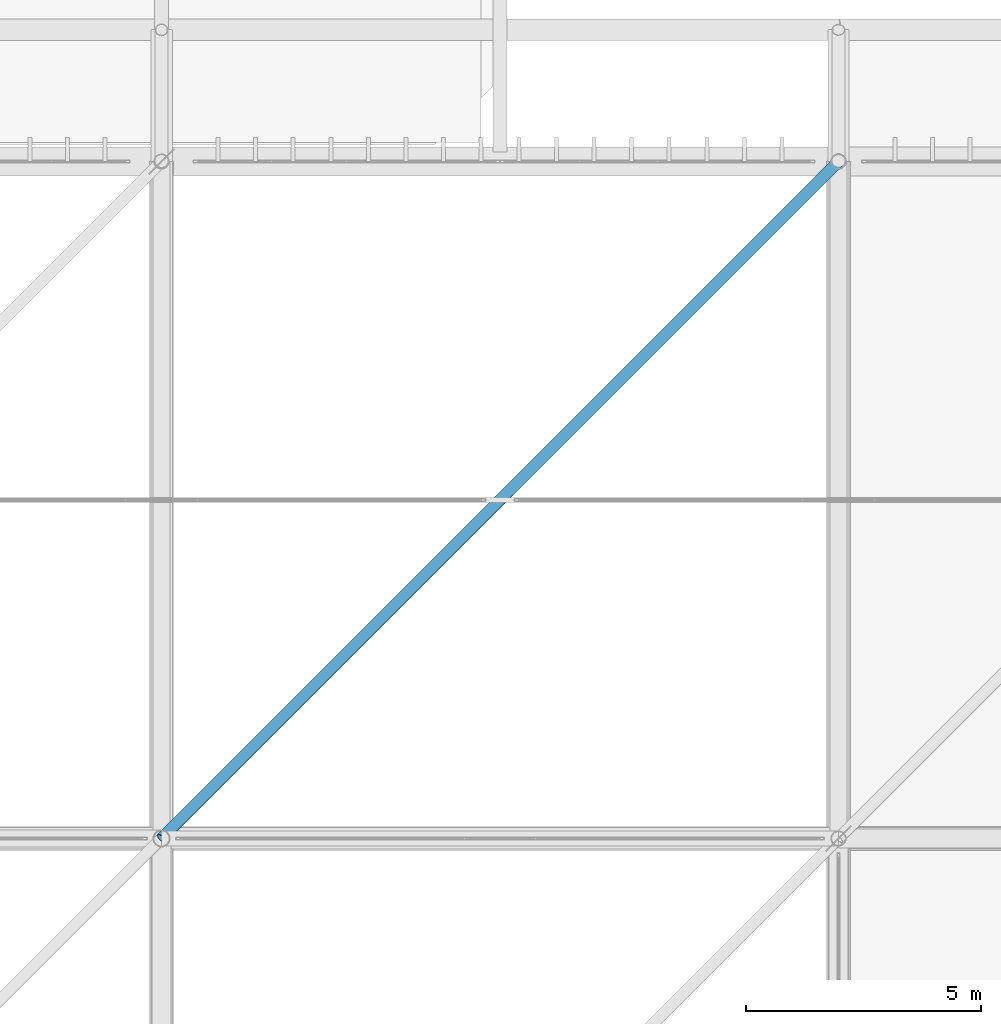
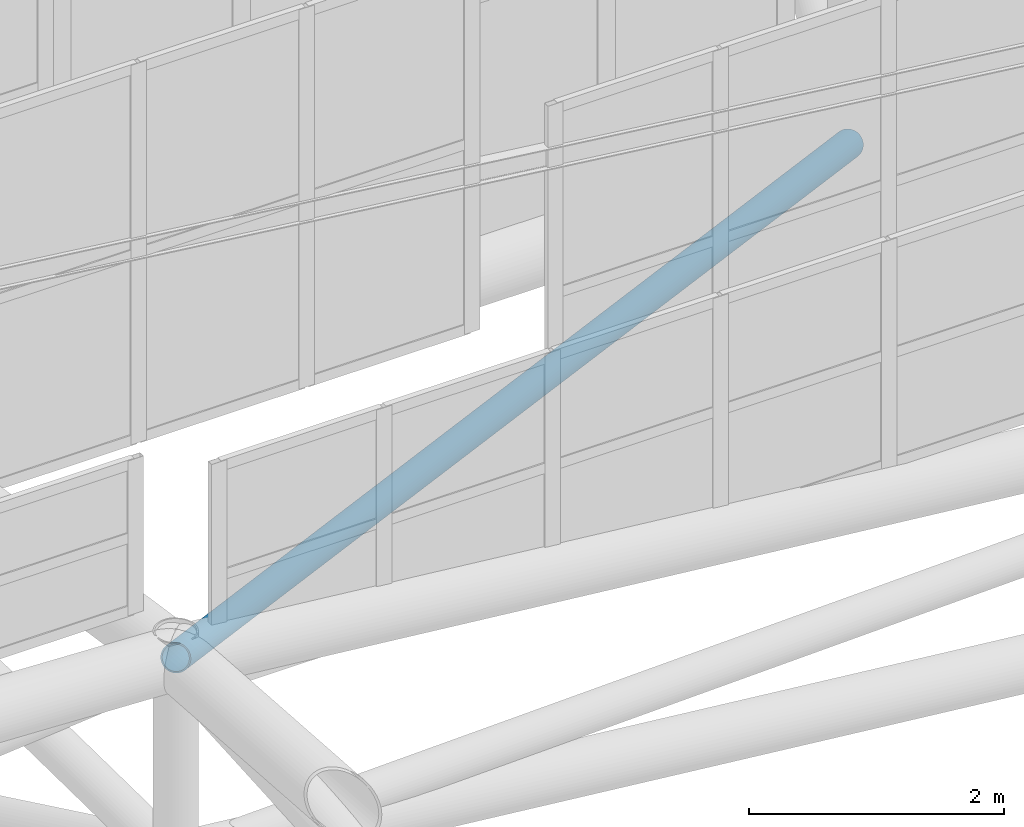
# One storey, part 318 of 397: 1 member.
"""IFC4 building model written with IfcOpenShell, lengths in metres."""

from ifc_helpers import new_model, si_unit, direction, frame, origin, origin_2d, place, context, subcontext, project, spatial, hollow_circle, extrude, material, material_profile, profile_set, type_object, element, save


model = new_model("IFC4")

# Units and contexts
model_context = context("Model", 3, precision=1e-05, world=origin(), true_north=direction((0.0, 1.0)))
body_context = subcontext(model_context, "Body", "Model", "MODEL_VIEW")
ifc_project = project(units=[si_unit("LENGTHUNIT", "METRE"), si_unit("AREAUNIT", "SQUARE_METRE"), si_unit("VOLUMEUNIT", "CUBIC_METRE"), si_unit("PLANEANGLEUNIT", "RADIAN"), si_unit("MASSUNIT", "GRAM", prefix="KILO")], contexts=[model_context])

# Site, building, storey
site_placement = place(None, origin())
site = spatial("IfcSite", under=ifc_project, at=site_placement, CompositionType="ELEMENT")
building_placement = place(site_placement, origin())
building = spatial("IfcBuilding", under=site, at=building_placement, Name="Qandorah Velis Arena", CompositionType="ELEMENT")
storey_placement = place(building_placement, frame((0.0, 0.0, 27.5)))
storey = spatial("IfcBuildingStorey", under=building, at=storey_placement, Name="RF", CompositionType="ELEMENT", Elevation=27.5)

# Member
ifc_material = material(Name="Steel S355", Category="steel")
ifc_material_profile = material_profile(ifc_material, hollow_circle(Radius=0.122314453125, WallThickness=0.012451171875, at=origin_2d()), Name="CHS 244.5x12.5")
ifc_profile_set = profile_set([ifc_material_profile], Name="Steel S355")
member_type = type_object("IfcMemberType", Name="STR-SFD-CHS244X12", PredefinedType="STRUT", material=ifc_profile_set)
member_placement = place(storey_placement, frame((100.800048828125, 115.199951171875, 0.10009765625), z_axis=(-0.648411939766, -0.648400946566, 0.398921256468), x_axis=(0.707100786953, -0.707112775369, 0.0)))
element("IfcMember", 1, at=member_placement, inside=storey, type_object=member_type, Name="Space frame roof spatial diagonal 5.6", PredefinedType="STRUT", context=body_context, shape_type="SweptSolid", body=[
    extrude(hollow_circle(Radius=0.122314453125, WallThickness=0.012451171875, at=origin_2d()), origin(), (0.0, 0.0, 1.0), 22.208251953125),
])

save(model, "model.ifc")
